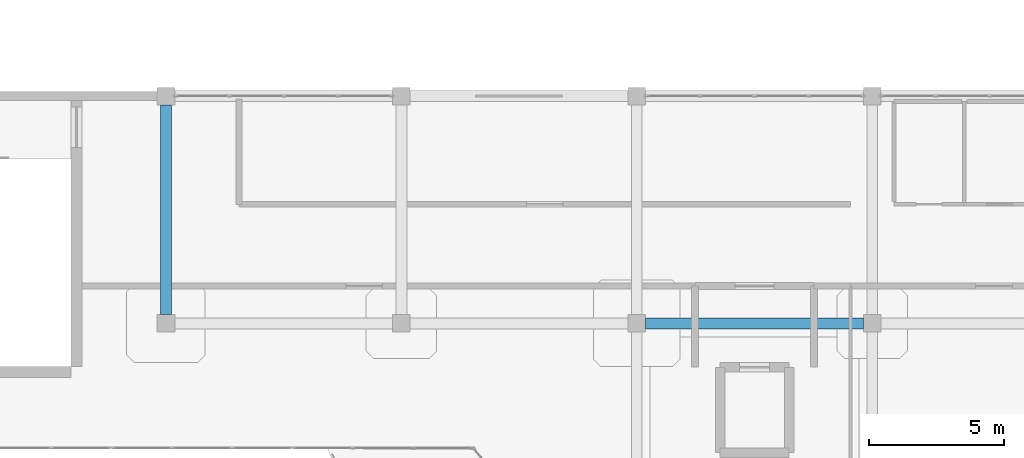
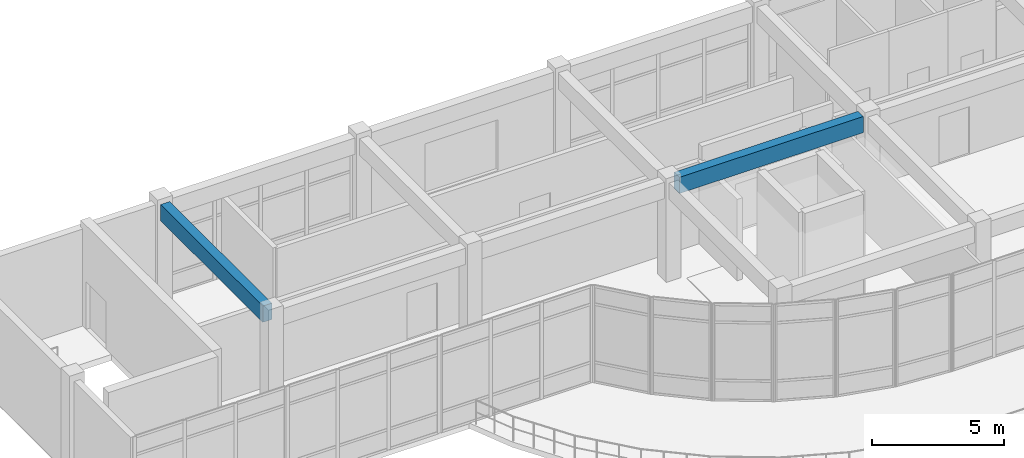
# One storey, part 8 of 41: 2 beams.
"""IFC4 building model written with IfcOpenShell, lengths in metres."""

from ifc_helpers import new_model, si_unit, derived_unit, direction, frame, origin, origin_2d, place, context, subcontext, project, spatial, rectangle, extrude, material, material_profile, profile_set, type_object, element, save


model = new_model("IFC4")

# Units and contexts
model_context = context("Model", 3, precision=1e-05, world=origin(), true_north=direction((0.0, 1.0)))
body_context = subcontext(model_context, "Body", "Model", "MODEL_VIEW")
ifc_project = project(units=[si_unit("LENGTHUNIT", "METRE"), si_unit("AREAUNIT", "SQUARE_METRE"), si_unit("VOLUMEUNIT", "CUBIC_METRE"), si_unit("PLANEANGLEUNIT", "RADIAN"), si_unit("MASSUNIT", "GRAM", prefix="KILO"), derived_unit("THERMALTRANSMITTANCEUNIT", [(si_unit("MASSUNIT", "GRAM", prefix="KILO"), 1), (si_unit("TIMEUNIT", "SECOND"), -3), (si_unit("THERMODYNAMICTEMPERATUREUNIT", "KELVIN"), -1)])], contexts=[model_context])

# Site, building, storey
site_placement = place(None, origin())
site = spatial("IfcSite", under=ifc_project, at=site_placement, CompositionType="ELEMENT")
building_placement = place(site_placement, origin())
building = spatial("IfcBuilding", under=site, at=building_placement, Name="Qinzheling Arcade Emporium", CompositionType="ELEMENT")
storey_placement = place(building_placement, frame((0.0, 0.0, 36.300048828125)))
storey = spatial("IfcBuildingStorey", under=building, at=storey_placement, Name="L08", CompositionType="ELEMENT", Elevation=36.300048828125)

# Beams
ifc_material = material(Name="Concrete C40", Category="concrete")
ifc_material_profile = material_profile(ifc_material, rectangle(XDim=0.39990234375, YDim=0.75, at=origin_2d()), Name="RC 400x750", Category="concrete")
ifc_profile_set = profile_set([ifc_material_profile], Name="Concrete C40")
beam_type = type_object("IfcBeamType", Name="RC Interior Tie Beam 400x750 C40", PredefinedType="BEAM", material=ifc_profile_set)
beam_1_placement = place(storey_placement, frame((26.425048828125, 33.60009765625, 4.18505859375), z_axis=(1.0, 0.0, 0.0), x_axis=(0.0, 1.0, 0.0)))
element("IfcBeam", 1, at=beam_1_placement, inside=storey, type_object=beam_type, Name="Beam BM-L08-X-E-4", PredefinedType="BEAM", context=body_context, shape_type="SweptSolid", body=[
    extrude(rectangle(XDim=0.39990234375, YDim=0.75, at=origin_2d()), origin(), (0.0, 0.0, 1.0), 8.050048828125),
])
beam_2_placement = place(storey_placement, frame((8.699951171875, 33.925048828125, 4.18505859375), z_axis=(0.0, 1.0, 0.0), x_axis=(-1.0, 0.0, 0.0)))
element("IfcBeam", 2, at=beam_2_placement, inside=storey, type_object=beam_type, Name="Beam BM-L08-Y-2-E", PredefinedType="BEAM", context=body_context, shape_type="SweptSolid", body=[
    extrude(rectangle(XDim=0.39990234375, YDim=0.75, at=origin_2d()), origin(), (0.0, 0.0, 1.0), 7.75),
])

save(model, "model.ifc")
